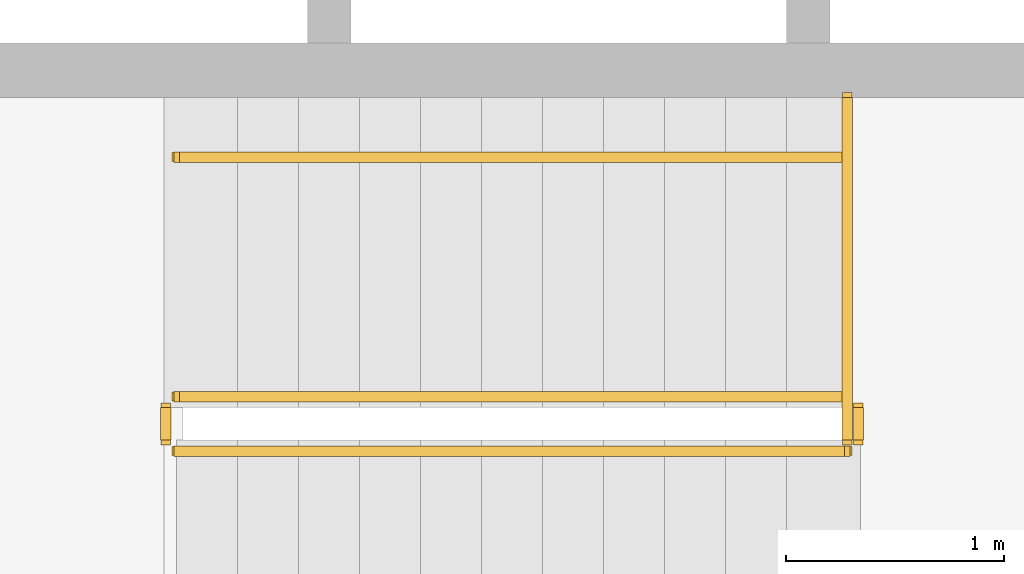
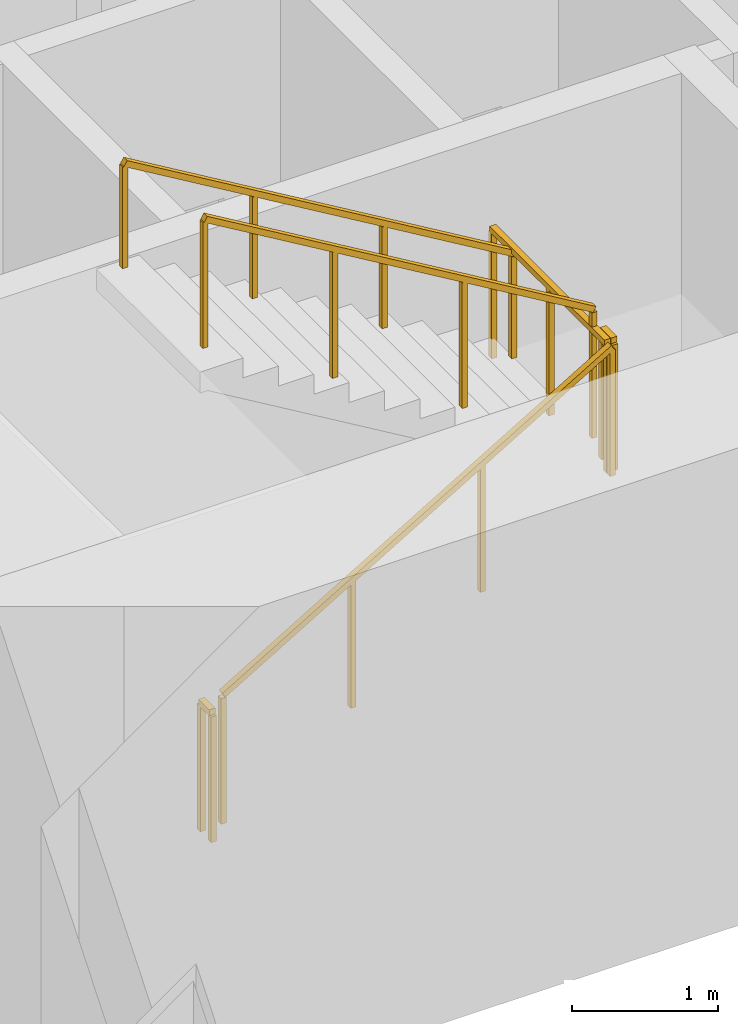
# One storey, part 13 of 16: 6 railings.
"""IFC4 building model written with IfcOpenShell, lengths in metres."""

from ifc_helpers import new_model, si_unit, direction, frame, origin, origin_2d, place, context, subcontext, project, spatial, rectangle, extrude, material, type_object, element, save


model = new_model("IFC4")

# Units and contexts
model_context = context("Model", 3, precision=1e-05, world=origin(), true_north=direction((0.0, 1.0)))
body_context = subcontext(model_context, "Body", "Model", "MODEL_VIEW")
ifc_project = project(units=[si_unit("LENGTHUNIT", "METRE"), si_unit("AREAUNIT", "SQUARE_METRE"), si_unit("VOLUMEUNIT", "CUBIC_METRE"), si_unit("PLANEANGLEUNIT", "RADIAN"), si_unit("MASSUNIT", "GRAM", prefix="KILO")], contexts=[model_context])

# Site, building, storey
site_placement = place(None, origin())
site = spatial("IfcSite", under=ifc_project, at=site_placement, CompositionType="ELEMENT")
building_placement = place(site_placement, origin())
building = spatial("IfcBuilding", under=site, at=building_placement, Name="Sennacour Bend Tower", CompositionType="ELEMENT")
storey_placement = place(building_placement, frame((0.0, 0.0, 87.0)))
storey = spatial("IfcBuildingStorey", under=building, at=storey_placement, Name="L19", CompositionType="ELEMENT", Elevation=87.0)

# Railings
ifc_material = material(Name="Stainless steel", Category="steel")
railing_type_1 = type_object("IfcRailingType", Name="RL-GUARD-1100", PredefinedType="GUARDRAIL", material=ifc_material)
railing_1_placement = place(storey_placement, frame((56.699951171875, 2.449951171875, 0.166748046875)))
element("IfcRailing", 1, at=railing_1_placement, inside=storey, type_object=railing_type_1, Name="L19 SA1 stair guard 1", PredefinedType="GUARDRAIL", context=body_context, shape_type="SweptSolid", body=[
    extrude(rectangle(XDim=0.048095703125, YDim=0.048095703125, at=origin_2d()), frame((0.0, 0.0, 1.076171875), z_axis=(0.859308565015, 0.0, 0.511457515432), x_axis=(0.0, 1.0, 0.0)), (0.0, 0.0, 1.0), 3.58447265625),
    extrude(rectangle(XDim=0.0419921875, YDim=0.0419921875, at=origin_2d()), origin(), (0.0, 0.0, 1.0), 1.052001953125),
    extrude(rectangle(XDim=0.0419921875, YDim=0.0419921875, at=origin_2d()), frame((1.026611328125, 0.0, 0.611083984375)), (0.0, 0.0, 1.0), 1.052001953125),
    extrude(rectangle(XDim=0.0419921875, YDim=0.0419921875, at=origin_2d()), frame((2.053466796875, 0.0, 1.22216796875)), (0.0, 0.0, 1.0), 1.052001953125),
    extrude(rectangle(XDim=0.0419921875, YDim=0.0419921875, at=origin_2d()), frame((3.080078125, 0.0, 1.833251953125)), (0.0, 0.0, 1.0), 1.052001953125),
])
railing_2_placement = place(storey_placement, frame((59.830078125, 2.5, 2.0)))
element("IfcRailing", 2, at=railing_2_placement, inside=storey, type_object=railing_type_1, Name="L19 SA1 stair guard 2", PredefinedType="GUARDRAIL", context=body_context, shape_type="SweptSolid", body=[
    extrude(rectangle(XDim=0.048095703125, YDim=0.048095703125, at=origin_2d()), frame((0.0, 0.0, 1.076171875), z_axis=(0.0, 1.0, 0.0), x_axis=(-1.0, 0.0, 0.0)), (0.0, 0.0, 1.0), 0.14990234375),
    extrude(rectangle(XDim=0.0419921875, YDim=0.0419921875, at=origin_2d()), origin(), (0.0, 0.0, 1.0), 1.052001953125),
    extrude(rectangle(XDim=0.0419921875, YDim=0.0419921875, at=origin_2d()), frame((0.0, 0.14990234375, 0.0)), (0.0, 0.0, 1.0), 1.052001953125),
])
railing_3_placement = place(storey_placement, frame((59.780029296875, 2.699951171875, 2.166748046875)))
element("IfcRailing", 3, at=railing_3_placement, inside=storey, type_object=railing_type_1, Name="L19 SA1 stair guard 4", PredefinedType="GUARDRAIL", context=body_context, shape_type="SweptSolid", body=[
    extrude(rectangle(XDim=0.048095703125, YDim=0.048095703125, at=origin_2d()), frame((0.0, 0.0, 1.076171875), z_axis=(-0.859308565015, 0.0, 0.511457515432), x_axis=(0.0, -1.0, 0.0)), (0.0, 0.0, 1.0), 3.58447265625),
    extrude(rectangle(XDim=0.0419921875, YDim=0.0419921875, at=origin_2d()), origin(), (0.0, 0.0, 1.0), 1.052001953125),
    extrude(rectangle(XDim=0.0419921875, YDim=0.0419921875, at=origin_2d()), frame((-1.026611328125, 0.0, 0.611083984375)), (0.0, 0.0, 1.0), 1.052001953125),
    extrude(rectangle(XDim=0.0419921875, YDim=0.0419921875, at=origin_2d()), frame((-2.053466796875, 0.0, 1.22216796875)), (0.0, 0.0, 1.0), 1.052001953125),
    extrude(rectangle(XDim=0.0419921875, YDim=0.0419921875, at=origin_2d()), frame((-3.080078125, 0.0, 1.833251953125)), (0.0, 0.0, 1.0), 1.052001953125),
])
railing_4_placement = place(storey_placement, frame((56.64990234375, 2.5, 0.0)))
element("IfcRailing", 4, at=railing_4_placement, inside=storey, type_object=railing_type_1, Name="L19 SA1 stair guard 5", PredefinedType="GUARDRAIL", context=body_context, shape_type="SweptSolid", body=[
    extrude(rectangle(XDim=0.048095703125, YDim=0.048095703125, at=origin_2d()), frame((0.0, 0.0, 1.076171875), z_axis=(0.0, 1.0, 0.0), x_axis=(-1.0, 0.0, 0.0)), (0.0, 0.0, 1.0), 0.14990234375),
    extrude(rectangle(XDim=0.0419921875, YDim=0.0419921875, at=origin_2d()), origin(), (0.0, 0.0, 1.0), 1.052001953125),
    extrude(rectangle(XDim=0.0419921875, YDim=0.0419921875, at=origin_2d()), frame((0.0, 0.14990234375, 0.0)), (0.0, 0.0, 1.0), 1.052001953125),
])
railing_5_placement = place(storey_placement, frame((59.780029296875, 2.5, 2.0)))
element("IfcRailing", 5, at=railing_5_placement, inside=storey, type_object=railing_type_1, Name="L19 SA1 landing edge guard 37", PredefinedType="GUARDRAIL", context=body_context, shape_type="SweptSolid", body=[
    extrude(rectangle(XDim=0.048095703125, YDim=0.048095703125, at=origin_2d()), frame((0.0, 0.0, 1.076171875), z_axis=(0.0, 1.0, 0.0), x_axis=(-1.0, 0.0, 0.0)), (0.0, 0.0, 1.0), 1.574951171875),
    extrude(rectangle(XDim=0.0419921875, YDim=0.0419921875, at=origin_2d()), origin(), (0.0, 0.0, 1.0), 1.052001953125),
    extrude(rectangle(XDim=0.0419921875, YDim=0.0419921875, at=origin_2d()), frame((0.0, 0.78759765625, 0.0)), (0.0, 0.0, 1.0), 1.052001953125),
    extrude(rectangle(XDim=0.0419921875, YDim=0.0419921875, at=origin_2d()), frame((0.0, 1.574951171875, 0.0)), (0.0, 0.0, 1.0), 1.052001953125),
])
railing_type_2 = type_object("IfcRailingType", Name="RL-HANDRAIL-900", PredefinedType="HANDRAIL", material=ifc_material)
railing_6_placement = place(storey_placement, frame((59.780029296875, 3.800048828125, 2.166748046875)))
element("IfcRailing", 6, at=railing_6_placement, inside=storey, type_object=railing_type_2, Name="L19 SA1 stair handrail 2", PredefinedType="HANDRAIL", context=body_context, shape_type="SweptSolid", body=[
    extrude(rectangle(XDim=0.048095703125, YDim=0.048095703125, at=origin_2d()), frame((0.0, 0.0, 0.8759765625), z_axis=(-0.859308565015, 0.0, 0.511457515432), x_axis=(0.0, -1.0, 0.0)), (0.0, 0.0, 1.0), 3.58447265625),
    extrude(rectangle(XDim=0.0419921875, YDim=0.0419921875, at=origin_2d()), origin(), (0.0, 0.0, 1.0), 0.851806640625),
    extrude(rectangle(XDim=0.0419921875, YDim=0.0419921875, at=origin_2d()), frame((-1.026611328125, 0.0, 0.611083984375)), (0.0, 0.0, 1.0), 0.851806640625),
    extrude(rectangle(XDim=0.0419921875, YDim=0.0419921875, at=origin_2d()), frame((-2.053466796875, 0.0, 1.22216796875)), (0.0, 0.0, 1.0), 0.851806640625),
    extrude(rectangle(XDim=0.0419921875, YDim=0.0419921875, at=origin_2d()), frame((-3.080078125, 0.0, 1.833251953125)), (0.0, 0.0, 1.0), 0.851806640625),
])

save(model, "model.ifc")
